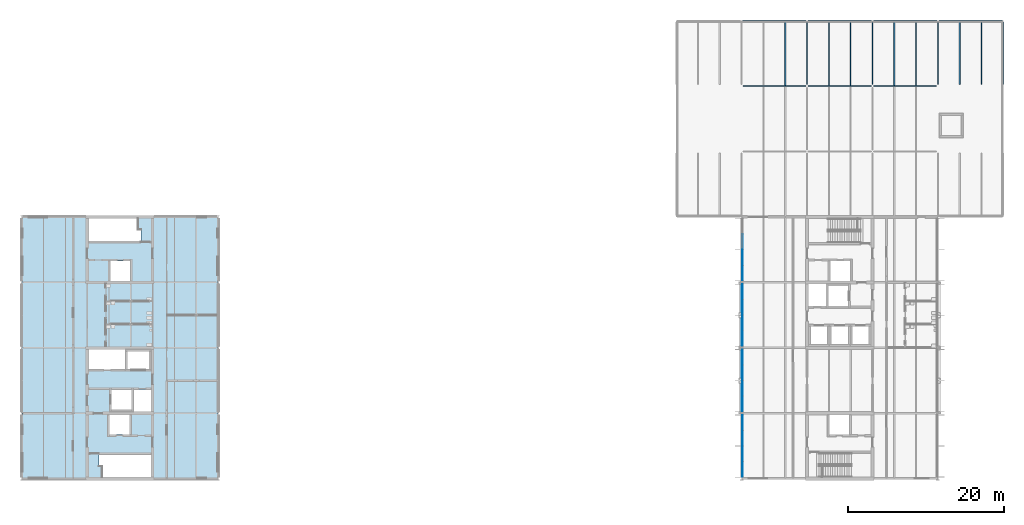
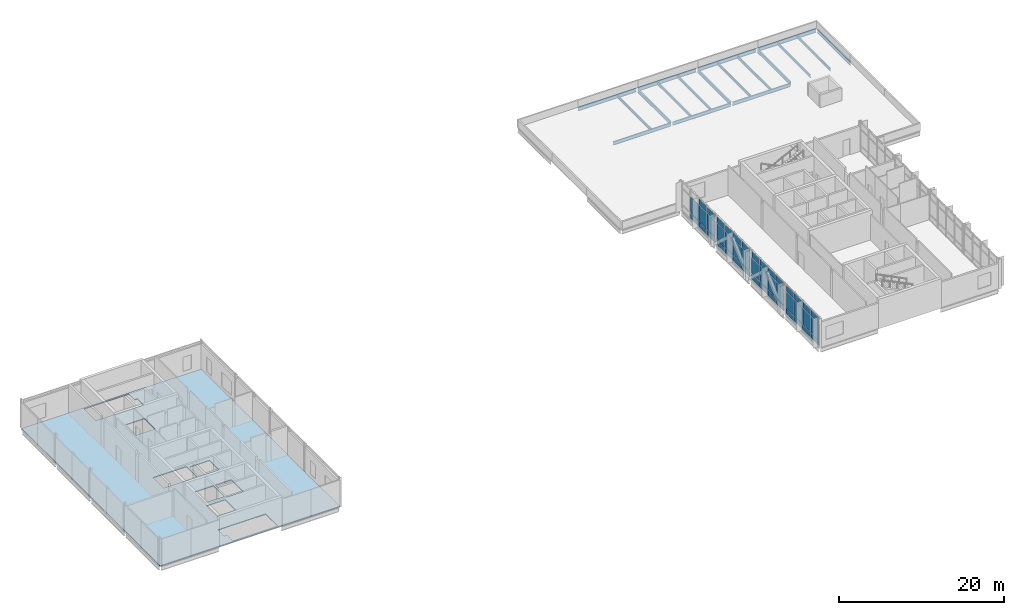
# One storey, part 11 of 26: 44 plates, 18 beams, 1 slab, 4 elements without a shape of their own.
"""IFC4 building model written with IfcOpenShell, lengths in metres."""

import ifcopenshell
import ifcopenshell.guid

model = None  # the IFC model being written
_history = None  # IfcOwnerHistory: only IFC2X3 demands one
_inside = {}  # id of a spatial element -> (the spatial element, [elements in it])
_under = {}  # id of a project, library or spatial element -> (it, [spatial elements below it])
_declared = {}  # id of a project -> (the project, [libraries it declares])
_typed = {}  # id of a type object -> (the type object, [elements of that type])
_made_of = {}  # id of a material, layer set ... -> (it, [elements and type objects made of it])


def new_model(schema):
    """Start an empty IFC model of exactly this schema.

    Asked for "IFC4X3", IfcOpenShell would pick the latest addendum, in which some entities
    have other attributes; the version numbers below select the first issue.
    IFC2X3 requires an IfcOwnerHistory on every rooted entity: one is made here for all.
    """
    global model, _history
    if schema == "IFC4X3":
        model = ifcopenshell.file(schema_version=(4, 3, 0, 0))
    else:
        model = ifcopenshell.file(schema=schema)
    _inside.clear()
    _under.clear()
    _declared.clear()
    _typed.clear()
    _made_of.clear()
    _history = None
    if model.schema == "IFC2X3":
        org = make("IfcOrganization", Name="unknown")
        user = make(
            "IfcPersonAndOrganization",
            ThePerson=make("IfcPerson", FamilyName="unknown"),
            TheOrganization=org,
        )
        app = make(
            "IfcApplication",
            ApplicationDeveloper=org,
            Version="unknown",
            ApplicationFullName="unknown",
            ApplicationIdentifier="unknown",
        )
        _history = make(
            "IfcOwnerHistory",
            OwningUser=user,
            OwningApplication=app,
            ChangeAction="ADDED",
            CreationDate=0,
        )
    return model


def make(cls, **values):
    """One entity of the class cls with the attributes given. An attribute that is None is left unset."""
    return model.create_entity(
        cls, **{name: value for name, value in values.items() if value is not None}
    )


def rooted(cls, **values):
    """An entity with a GlobalId (a new one), such as an element, a storey or a relation."""
    return make(cls, GlobalId=ifcopenshell.guid.new(), OwnerHistory=_history, **values)


def si_unit(unit_type, name, prefix=None):
    """IfcSIUnit, for example si_unit("LENGTHUNIT", "METRE", prefix="MILLI")."""
    return make("IfcSIUnit", UnitType=unit_type, Prefix=prefix, Name=name)


def assignment(units):
    """IfcUnitAssignment: the units of a project."""
    return None if units is None else make("IfcUnitAssignment", Units=units)


def point(xyz):
    """IfcCartesianPoint."""
    return None if xyz is None else make("IfcCartesianPoint", Coordinates=xyz)


def direction(xyz):
    """IfcDirection."""
    return None if xyz is None else make("IfcDirection", DirectionRatios=xyz)


def frame(location, z_axis=None, x_axis=None):
    """IfcAxis2Placement3D, a coordinate frame: its origin and axes. An axis left out is left unset."""
    return make(
        "IfcAxis2Placement3D",
        Location=point(location),
        Axis=direction(z_axis),
        RefDirection=direction(x_axis),
    )


def frame_2d(location, x_axis=None):
    """IfcAxis2Placement2D, a coordinate frame in the plane: its origin and x axis."""
    return make(
        "IfcAxis2Placement2D", Location=point(location), RefDirection=direction(x_axis)
    )


def origin():
    """The frame at (0, 0, 0) with its axes left unset."""
    return frame((0.0, 0.0, 0.0))


def origin_2d():
    """The frame at (0, 0) in the plane with its x axis left unset."""
    return frame_2d((0.0, 0.0))


def place(relative_to, where):
    """IfcLocalPlacement: puts the frame where relative to a parent placement (None: the world)."""
    return make(
        "IfcLocalPlacement", PlacementRelTo=relative_to, RelativePlacement=where
    )


def context(
    kind, dimensions, precision=None, world=None, true_north=None, identifier=None
):
    """IfcGeometricRepresentationContext, for example the 3D "Model" context."""
    return make(
        "IfcGeometricRepresentationContext",
        ContextIdentifier=identifier,
        ContextType=kind,
        CoordinateSpaceDimension=dimensions,
        Precision=precision,
        WorldCoordinateSystem=world,
        TrueNorth=true_north,
    )


def subcontext(parent, identifier, kind, view, scale=None):
    """IfcGeometricRepresentationSubContext, for example "Body" below "Model"."""
    return make(
        "IfcGeometricRepresentationSubContext",
        ContextIdentifier=identifier,
        ContextType=kind,
        ParentContext=parent,
        TargetScale=scale,
        TargetView=view,
    )


def project(units=None, contexts=None):
    """IfcProject with its units and contexts."""
    return rooted(
        "IfcProject",
        Name="project",
        RepresentationContexts=contexts,
        UnitsInContext=assignment(units),
    )


def spatial(cls, under=None, at=None, **own):
    """A site, building, storey or space (cls), placed at a placement, below another one or the project."""
    s = rooted(cls, ObjectPlacement=at, **own)
    if under is not None:
        _under.setdefault(under.id(), (under, []))[1].append(s)
    return s


def polyline(points):
    """IfcPolyline through the points."""
    return make("IfcPolyline", Points=[point(p) for p in points])


def profile(cls, at=None, kind="AREA", **sizes):
    """A parametric profile (cls). Its sizes go by their IFC names, for example OverallWidth=200.0."""
    return make(cls, ProfileType=kind, Position=at, **sizes)


def rectangle(**sizes):
    """IfcRectangleProfileDef."""
    return profile("IfcRectangleProfileDef", **sizes)


def i_section(**sizes):
    """IfcIShapeProfileDef."""
    return profile("IfcIShapeProfileDef", **sizes)


def outline(outer, holes=None, kind="AREA"):
    """IfcArbitraryClosedProfileDef: a profile drawn as a closed curve; with holes, ...WithVoids."""
    if holes is None:
        return make("IfcArbitraryClosedProfileDef", ProfileType=kind, OuterCurve=outer)
    return make(
        "IfcArbitraryProfileDefWithVoids",
        ProfileType=kind,
        OuterCurve=outer,
        InnerCurves=holes,
    )


def extrude(swept, where, along, depth):
    """IfcExtrudedAreaSolid: the profile swept, set in the frame where, extruded along a direction by depth."""
    return make(
        "IfcExtrudedAreaSolid",
        SweptArea=swept,
        Position=where,
        ExtrudedDirection=direction(along),
        Depth=depth,
    )


def shape(context_of_items, identifier, shape_type, items):
    """IfcShapeRepresentation: the items that make up one representation, for example the "Body"."""
    return make(
        "IfcShapeRepresentation",
        ContextOfItems=context_of_items,
        RepresentationIdentifier=identifier,
        RepresentationType=shape_type,
        Items=items,
    )


def material(Name=None, Category=None):
    """IfcMaterial."""
    return make("IfcMaterial", Name=Name, Category=Category)


def layer(
    of_material, thickness, ventilated=None, Name=None, Category=None, Priority=None
):
    """IfcMaterialLayer: one layer of a wall or slab, of a material (None: an air gap)."""
    return make(
        "IfcMaterialLayer",
        Material=of_material,
        LayerThickness=thickness,
        IsVentilated=ventilated,
        Name=Name,
        Category=Category,
        Priority=Priority,
    )


def layer_set(layers, Name=None):
    """IfcMaterialLayerSet."""
    return make("IfcMaterialLayerSet", MaterialLayers=layers, LayerSetName=Name)


def material_profile(
    of_material, cross_section, Name=None, Category=None, Priority=None
):
    """IfcMaterialProfile: a cross section and its material."""
    return make(
        "IfcMaterialProfile",
        Name=Name,
        Material=of_material,
        Profile=cross_section,
        Priority=Priority,
        Category=Category,
    )


def profile_set(profiles, Name=None, composite=None):
    """IfcMaterialProfileSet."""
    return make(
        "IfcMaterialProfileSet",
        Name=Name,
        MaterialProfiles=profiles,
        CompositeProfile=composite,
    )


def made_of(thing, what):
    """Note that an element or type object is made of a material, layer set ...; save() writes the relation."""
    if what is not None:
        _made_of.setdefault(what.id(), (what, []))[1].append(thing)
    return thing


def type_object(cls, material=None, **own):
    """A type object (cls), such as IfcWallType, which elements share."""
    return made_of(rooted(cls, **own), material)


def element(
    cls,
    number,
    at=None,
    inside=None,
    cuts=None,
    type_object=None,
    material=None,
    context=None,
    identifier="Body",
    shape_type=None,
    held_by="IfcProductDefinitionShape",
    body=None,
    shapes=None,
    **own,
):
    """One element of the class cls, such as IfcWall. Its Tag is "e" and its number.

    at: its placement. inside: the storey or other place that contains it. cuts: it is an
    opening in that element (IfcRelVoidsElement). A single representation is given by context,
    identifier, shape_type and body (its items); several are given by shapes. held_by: the class
    of the entity that holds the representations. save() writes the other relations.
    """
    e = rooted(cls, Tag="e%d" % number, ObjectPlacement=at, **own)
    if body is not None:
        shapes = [shape(context, identifier, shape_type, body)]
    if shapes is not None:
        e.Representation = make(held_by, Representations=shapes)
    if inside is not None:
        _inside.setdefault(inside.id(), (inside, []))[1].append(e)
    if cuts is not None:
        rooted(
            "IfcRelVoidsElement", RelatingBuildingElement=cuts, RelatedOpeningElement=e
        )
    if type_object is not None:
        _typed.setdefault(type_object.id(), (type_object, []))[1].append(e)
    return made_of(e, material)


def aggregate(whole, parts):
    """IfcRelAggregates: a whole, such as a stair, and the parts it consists of."""
    return rooted("IfcRelAggregates", RelatingObject=whole, RelatedObjects=parts)


def save(model, path):
    """Write the relations noted so far, then the file.

    IfcRelAggregates (storeys below a building ...), IfcRelContainedInSpatialStructure (elements
    in a storey), IfcRelDefinesByType, IfcRelAssociatesMaterial and IfcRelDeclares: one each for
    every whole, place, type object, material and project.
    """
    for whole, parts in _under.values():
        aggregate(whole, parts)
    for where, things in _inside.values():
        rooted(
            "IfcRelContainedInSpatialStructure",
            RelatedElements=things,
            RelatingStructure=where,
        )
    for kind, things in _typed.values():
        rooted("IfcRelDefinesByType", RelatedObjects=things, RelatingType=kind)
    for what, things in _made_of.values():
        rooted("IfcRelAssociatesMaterial", RelatedObjects=things, RelatingMaterial=what)
    for by, libraries in _declared.values():
        rooted("IfcRelDeclares", RelatingContext=by, RelatedDefinitions=libraries)
    model.write(path)


model = new_model("IFC4")

# Units and contexts
model_context = context("Model", 3, precision=1e-05, world=origin(), true_north=direction((0.0, 1.0)))
body_context = subcontext(model_context, "Body", "Model", "MODEL_VIEW")
ifc_project = project(units=[si_unit("LENGTHUNIT", "METRE"), si_unit("AREAUNIT", "SQUARE_METRE"), si_unit("VOLUMEUNIT", "CUBIC_METRE"), si_unit("PLANEANGLEUNIT", "RADIAN"), si_unit("MASSUNIT", "GRAM", prefix="KILO")], contexts=[model_context])

# Site, building, storey
site_placement = place(None, origin())
site = spatial("IfcSite", under=ifc_project, at=site_placement, CompositionType="ELEMENT")
building_placement = place(site_placement, origin())
building = spatial("IfcBuilding", under=site, at=building_placement, Name="Hlaing Beacon Police Headquarters", CompositionType="ELEMENT")
storey_placement = place(building_placement, frame((0.0, 0.0, 23.39990234375)))
storey = spatial("IfcBuildingStorey", under=building, at=storey_placement, Name="L05", CompositionType="ELEMENT", Elevation=23.39990234375)

# Beams
ifc_material_1 = material(Name="Steel ASTM A992 Grade 50", Category="steel")
ifc_material_profile_1 = material_profile(ifc_material_1, i_section(OverallWidth=0.1650390625, OverallDepth=0.52587890625, WebThickness=0.0087890625, FlangeThickness=0.011474609375, FilletRadius=0.0126953125, at=origin_2d()), Name="W21x44")
ifc_profile_set_1 = profile_set([ifc_material_profile_1], Name="Steel ASTM A992 Grade 50")
beam_type_1 = type_object("IfcBeamType", Name="Girder W21x44", PredefinedType="BEAM", material=ifc_profile_set_1)
beam_1_placement = place(storey_placement, frame((101.0, 84.0, -0.392822265625), z_axis=(1.0, 0.0, 0.0), x_axis=(0.0, 1.0, 0.0)))
element("IfcBeam", 1, at=beam_1_placement, inside=storey, type_object=beam_type_1, Name="STR-BM-L05-GX-N11-P11", PredefinedType="BEAM", context=body_context, shape_type="SweptSolid", body=[
    extrude(i_section(OverallWidth=0.1650390625, OverallDepth=0.52587890625, WebThickness=0.0087890625, FlangeThickness=0.011474609375, FilletRadius=0.0126953125, at=origin_2d()), origin(), (0.0, 0.0, 1.0), 8.072021484375),
])
beam_2_placement = place(storey_placement, frame((109.327880859375, 84.0, -0.392822265625), z_axis=(1.0, 0.0, 0.0), x_axis=(0.0, 1.0, 0.0)))
element("IfcBeam", 2, at=beam_2_placement, inside=storey, type_object=beam_type_1, Name="STR-BM-L05-GX-P11-Q11", PredefinedType="BEAM", context=body_context, shape_type="SweptSolid", body=[
    extrude(i_section(OverallWidth=0.1650390625, OverallDepth=0.52587890625, WebThickness=0.0087890625, FlangeThickness=0.011474609375, FilletRadius=0.0126953125, at=origin_2d()), origin(), (0.0, 0.0, 1.0), 8.14404296875),
])
beam_3_placement = place(storey_placement, frame((117.72802734375, 84.0, -0.392822265625), z_axis=(1.0, 0.0, 0.0), x_axis=(0.0, 1.0, 0.0)))
element("IfcBeam", 3, at=beam_3_placement, inside=storey, type_object=beam_type_1, Name="STR-BM-L05-GX-Q11-R11", PredefinedType="BEAM", context=body_context, shape_type="SweptSolid", body=[
    extrude(i_section(OverallWidth=0.1650390625, OverallDepth=0.52587890625, WebThickness=0.0087890625, FlangeThickness=0.011474609375, FilletRadius=0.0126953125, at=origin_2d()), origin(), (0.0, 0.0, 1.0), 8.072021484375),
])
for number, where, z_axis, x_axis, name in (
    (4, (100.927001953125, 92.39990234375, -0.392822265625), (1.0, 0.0, 0.0), (0.0, 1.0, 0.0), "STR-BM-L05-GX-N12-P12"),
    (5, (126.1279296875, 92.39990234375, -0.392822265625), (1.0, 0.0, 0.0), (0.0, 1.0, 0.0), "STR-BM-L05-GX-R12-S12"),
):
    element("IfcBeam", number, at=place(storey_placement, frame(where, z_axis=z_axis, x_axis=x_axis)), inside=storey, type_object=beam_type_1, Name=name, PredefinedType="BEAM", context=body_context, shape_type="SweptSolid", body=[
        extrude(i_section(OverallWidth=0.1650390625, OverallDepth=0.52587890625, WebThickness=0.0087890625, FlangeThickness=0.011474609375, FilletRadius=0.0126953125, at=origin_2d()), origin(), (0.0, 0.0, 1.0), 8.14501953125),
    ])
for number, where, z_axis, x_axis, name in (
    (6, (109.199951171875, 84.179931640625, -0.392822265625), (0.0, 1.0, 0.0), (-1.0, 0.0, 0.0), "STR-BM-L05-GY-P11-P12"),
    (7, (117.60009765625, 84.179931640625, -0.392822265625), (0.0, 1.0, 0.0), (-1.0, 0.0, 0.0), "STR-BM-L05-GY-Q11-Q12"),
):
    element("IfcBeam", number, at=place(storey_placement, frame(where, z_axis=z_axis, x_axis=x_axis)), inside=storey, type_object=beam_type_1, Name=name, PredefinedType="BEAM", context=body_context, shape_type="SweptSolid", body=[
        extrude(i_section(OverallWidth=0.1650390625, OverallDepth=0.52587890625, WebThickness=0.0087890625, FlangeThickness=0.011474609375, FilletRadius=0.0126953125, at=origin_2d()), origin(), (0.0, 0.0, 1.0), 8.0380859375),
    ])
beam_4_placement = place(storey_placement, frame((126.0, 84.199951171875, -0.392822265625), z_axis=(0.0, 1.0, 0.0), x_axis=(-1.0, 0.0, 0.0)))
element("IfcBeam", 8, at=beam_4_placement, inside=storey, type_object=beam_type_1, Name="STR-BM-L05-GY-R11-R12", PredefinedType="BEAM", context=body_context, shape_type="SweptSolid", body=[
    extrude(i_section(OverallWidth=0.1650390625, OverallDepth=0.52587890625, WebThickness=0.0087890625, FlangeThickness=0.011474609375, FilletRadius=0.0126953125, at=origin_2d()), origin(), (0.0, 0.0, 1.0), 8.01806640625),
])
beam_5_placement = place(storey_placement, frame((134.39990234375, 84.199951171875, -0.392822265625), z_axis=(0.0, 1.0, 0.0), x_axis=(-1.0, 0.0, 0.0)))
element("IfcBeam", 9, at=beam_5_placement, inside=storey, type_object=beam_type_1, Name="STR-BM-L05-GY-S11-S12", PredefinedType="BEAM", context=body_context, shape_type="SweptSolid", body=[
    extrude(i_section(OverallWidth=0.1650390625, OverallDepth=0.52587890625, WebThickness=0.0087890625, FlangeThickness=0.011474609375, FilletRadius=0.0126953125, at=origin_2d()), origin(), (0.0, 0.0, 1.0), 8.02294921875),
])
ifc_material_2 = material(Name="Steel ASTM A992 Grade 50", Category="steel")
ifc_material_profile_2 = material_profile(ifc_material_2, i_section(OverallWidth=0.165771484375, OverallDepth=0.5283203125, WebThickness=0.009765625, FlangeThickness=0.013671875, FilletRadius=0.012939453125, at=origin_2d()), Name="W21x50")
ifc_profile_set_2 = profile_set([ifc_material_profile_2], Name="Steel ASTM A992 Grade 50")
beam_type_2 = type_object("IfcBeamType", Name="Girder W21x50", PredefinedType="BEAM", material=ifc_profile_set_2)
for number, where, z_axis, x_axis, name in (
    (10, (109.327880859375, 92.39990234375, -0.39404296875), (1.0, 0.0, 0.0), (0.0, 1.0, 0.0), "STR-BM-L05-GX-P12-Q12"),
    (11, (117.72802734375, 92.39990234375, -0.39404296875), (1.0, 0.0, 0.0), (0.0, 1.0, 0.0), "STR-BM-L05-GX-Q12-R12"),
):
    element("IfcBeam", number, at=place(storey_placement, frame(where, z_axis=z_axis, x_axis=x_axis)), inside=storey, type_object=beam_type_2, Name=name, PredefinedType="BEAM", context=body_context, shape_type="SweptSolid", body=[
        extrude(i_section(OverallWidth=0.165771484375, OverallDepth=0.5283203125, WebThickness=0.009765625, FlangeThickness=0.013671875, FilletRadius=0.012939453125, at=origin_2d()), origin(), (0.0, 0.0, 1.0), 8.14404296875),
    ])
ifc_material_3 = material(Name="Steel ASTM A992 Grade 50", Category="steel")
ifc_material_profile_3 = material_profile(ifc_material_3, i_section(OverallWidth=0.1396484375, OverallDepth=0.398681640625, WebThickness=0.00634765625, FlangeThickness=0.0087890625, FilletRadius=0.01025390625, at=origin_2d()), Name="W16x26")
ifc_profile_set_3 = profile_set([ifc_material_profile_3], Name="Steel ASTM A992 Grade 50")
beam_type_3 = type_object("IfcBeamType", Name="Secondary beam W16x26", PredefinedType="BEAM", material=ifc_profile_set_3)
for number, where, z_axis, x_axis, name in (
    (12, (106.39990234375, 84.0830078125, -0.329345703125), (0.0, 1.0, 0.0), (-1.0, 0.0, 0.0), "STR-BM-L05-SB-N11-y2"),
    (13, (112.0, 84.0830078125, -0.329345703125), (0.0, 1.0, 0.0), (-1.0, 0.0, 0.0), "STR-BM-L05-SB-P11-y1"),
    (14, (114.800048828125, 84.0830078125, -0.329345703125), (0.0, 1.0, 0.0), (-1.0, 0.0, 0.0), "STR-BM-L05-SB-P11-y2"),
    (15, (120.39990234375, 84.0830078125, -0.329345703125), (0.0, 1.0, 0.0), (-1.0, 0.0, 0.0), "STR-BM-L05-SB-Q11-y1"),
    (16, (123.199951171875, 84.0830078125, -0.329345703125), (0.0, 1.0, 0.0), (-1.0, 0.0, 0.0), "STR-BM-L05-SB-Q11-y2"),
):
    element("IfcBeam", number, at=place(storey_placement, frame(where, z_axis=z_axis, x_axis=x_axis)), inside=storey, type_object=beam_type_3, Name=name, PredefinedType="BEAM", context=body_context, shape_type="SweptSolid", body=[
        extrude(i_section(OverallWidth=0.1396484375, OverallDepth=0.398681640625, WebThickness=0.00634765625, FlangeThickness=0.0087890625, FilletRadius=0.01025390625, at=origin_2d()), origin(), (0.0, 0.0, 1.0), 8.23388671875),
    ])
for number, where, z_axis, x_axis, name in (
    (17, (128.800048828125, 84.199951171875, -0.329345703125), (0.0, 1.0, 0.0), (-1.0, 0.0, 0.0), "STR-BM-L05-SB-R11-y1"),
    (18, (131.60009765625, 84.199951171875, -0.329345703125), (0.0, 1.0, 0.0), (-1.0, 0.0, 0.0), "STR-BM-L05-SB-R11-y2"),
):
    element("IfcBeam", number, at=place(storey_placement, frame(where, z_axis=z_axis, x_axis=x_axis)), inside=storey, type_object=beam_type_3, Name=name, PredefinedType="BEAM", context=body_context, shape_type="SweptSolid", body=[
        extrude(i_section(OverallWidth=0.1396484375, OverallDepth=0.398681640625, WebThickness=0.00634765625, FlangeThickness=0.0087890625, FilletRadius=0.01025390625, at=origin_2d()), origin(), (0.0, 0.0, 1.0), 8.116943359375),
    ])

# Curtain wall, plates
ifc_material_4 = material(Name="Aluminium frame with solar control glazing", Category="aluminium")
curtain_wall_type = type_object("IfcCurtainWallType", Name="Unitised curtain wall 8.03 x 4.37", PredefinedType="NOTDEFINED", material=ifc_material_4)
curtain_wall_1_placement = place(storey_placement, origin())
curtain_wall_1 = element("IfcCurtainWall", 19, at=curtain_wall_1_placement, inside=storey, type_object=curtain_wall_type, Name="ENV-CW-L05-W005", PredefinedType="NOTDEFINED")
ifc_material_5 = material(Name="Solar control glazing", Category="glass")
ifc_layer_1 = layer(ifc_material_5, 0.0439453125)
ifc_layer_set_1 = layer_set([ifc_layer_1], Name="Solar control glazing")
plate_type_1 = type_object("IfcPlateType", Name="Clear glazing panel 44", PredefinedType="CURTAIN_PANEL", material=ifc_layer_set_1)
plate_1_placement = place(storey_placement, frame((100.89990234375, 64.006591796875, 0.9501953125), z_axis=(0.0, 0.0, 1.0), x_axis=(0.0, -1.0, 0.0)))
plate_1 = element("IfcPlate", 20, at=plate_1_placement, type_object=plate_type_1, Name="CW-L05-W005 panel 2.2", PredefinedType="CURTAIN_PANEL", context=body_context, shape_type="SweptSolid", body=[
    extrude(rectangle(XDim=1.947998046875, YDim=0.0439453125, at=origin_2d()), origin(), (0.0, 0.0, 1.0), 2.300048828125),
])
plate_2_placement = place(storey_placement, frame((100.89990234375, 60.005615234375, 0.9501953125), z_axis=(0.0, 0.0, 1.0), x_axis=(0.0, -1.0, 0.0)))
plate_2 = element("IfcPlate", 21, at=plate_2_placement, type_object=plate_type_1, Name="CW-L05-W005 panel 4.2", PredefinedType="CURTAIN_PANEL", context=body_context, shape_type="SweptSolid", body=[
    extrude(rectangle(XDim=1.91796875, YDim=0.0439453125, at=origin_2d()), origin(), (0.0, 0.0, 1.0), 2.300048828125),
])

curtain_wall_2_placement = place(storey_placement, origin())
curtain_wall_2 = element("IfcCurtainWall", 22, at=curtain_wall_2_placement, inside=storey, type_object=curtain_wall_type, Name="ENV-CW-L05-W006", PredefinedType="NOTDEFINED")
plate_3_placement = place(storey_placement, frame((100.889892578125, 55.603271484375, 0.9501953125), z_axis=(0.0, 0.0, 1.0), x_axis=(0.0, -1.0, 0.0)))
plate_3 = element("IfcPlate", 23, at=plate_3_placement, type_object=plate_type_1, Name="CW-L05-W006 panel 2.2", PredefinedType="CURTAIN_PANEL", context=body_context, shape_type="SweptSolid", body=[
    extrude(rectangle(XDim=1.946533203125, YDim=0.0439453125, at=origin_2d()), origin(), (0.0, 0.0, 1.0), 2.300048828125),
])
plate_4_placement = place(storey_placement, frame((100.889892578125, 51.60498046875, 0.9501953125), z_axis=(0.0, 0.0, 1.0), x_axis=(0.0, -1.0, 0.0)))
plate_4 = element("IfcPlate", 24, at=plate_4_placement, type_object=plate_type_1, Name="CW-L05-W006 panel 4.2", PredefinedType="CURTAIN_PANEL", context=body_context, shape_type="SweptSolid", body=[
    extrude(rectangle(XDim=1.916748046875, YDim=0.0439453125, at=origin_2d()), origin(), (0.0, 0.0, 1.0), 2.300048828125),
])

curtain_wall_3_placement = place(storey_placement, origin())
curtain_wall_3 = element("IfcCurtainWall", 25, at=curtain_wall_3_placement, inside=storey, type_object=curtain_wall_type, Name="ENV-CW-L05-W007", PredefinedType="NOTDEFINED")
plate_5_placement = place(storey_placement, frame((100.889892578125, 47.203369140625, 0.9501953125), z_axis=(0.0, 0.0, 1.0), x_axis=(0.0, -1.0, 0.0)))
plate_5 = element("IfcPlate", 26, at=plate_5_placement, type_object=plate_type_1, Name="CW-L05-W007 panel 2.2", PredefinedType="CURTAIN_PANEL", context=body_context, shape_type="SweptSolid", body=[
    extrude(rectangle(XDim=1.946533203125, YDim=0.0439453125, at=origin_2d()), origin(), (0.0, 0.0, 1.0), 2.300048828125),
])
plate_6_placement = place(storey_placement, frame((100.889892578125, 43.205078125, 0.9501953125), z_axis=(0.0, 0.0, 1.0), x_axis=(0.0, -1.0, 0.0)))
plate_6 = element("IfcPlate", 27, at=plate_6_placement, type_object=plate_type_1, Name="CW-L05-W007 panel 4.2", PredefinedType="CURTAIN_PANEL", context=body_context, shape_type="SweptSolid", body=[
    extrude(rectangle(XDim=1.916748046875, YDim=0.0439453125, at=origin_2d()), origin(), (0.0, 0.0, 1.0), 2.300048828125),
])

curtain_wall_4_placement = place(storey_placement, origin())
curtain_wall_4 = element("IfcCurtainWall", 28, at=curtain_wall_4_placement, inside=storey, type_object=curtain_wall_type, Name="ENV-CW-L05-W008", PredefinedType="NOTDEFINED")
plate_7_placement = place(storey_placement, frame((100.89990234375, 38.801513671875, 0.9501953125), z_axis=(0.0, 0.0, 1.0), x_axis=(0.0, -1.0, 0.0)))
plate_7 = element("IfcPlate", 29, at=plate_7_placement, type_object=plate_type_1, Name="CW-L05-W008 panel 2.2", PredefinedType="CURTAIN_PANEL", context=body_context, shape_type="SweptSolid", body=[
    extrude(rectangle(XDim=1.947998046875, YDim=0.0439453125, at=origin_2d()), origin(), (0.0, 0.0, 1.0), 2.300048828125),
])
plate_8_placement = place(storey_placement, frame((100.89990234375, 34.800537109375, 0.9501953125), z_axis=(0.0, 0.0, 1.0), x_axis=(0.0, -1.0, 0.0)))
plate_8 = element("IfcPlate", 30, at=plate_8_placement, type_object=plate_type_1, Name="CW-L05-W008 panel 4.2", PredefinedType="CURTAIN_PANEL", context=body_context, shape_type="SweptSolid", body=[
    extrude(rectangle(XDim=1.91796875, YDim=0.0439453125, at=origin_2d()), origin(), (0.0, 0.0, 1.0), 2.300048828125),
])

# Slab
ifc_material_6 = material(Name="Concrete C40/50", Category="concrete")
ifc_layer_2 = layer(ifc_material_6, 0.1298828125)
ifc_layer_set_2 = layer_set([ifc_layer_2], Name="Concrete C40/50")
slab_type = type_object("IfcSlabType", Name="Composite deck slab 130", PredefinedType="FLOOR", material=ifc_layer_set_2)
slab_placement = place(storey_placement, frame((0.0, 0.0, -0.1298828125)))
element("IfcSlab", 31, at=slab_placement, inside=storey, type_object=slab_type, Name="STR-SLAB-L05-01", PredefinedType="FLOOR", context=body_context, shape_type="SweptSolid", body=[
    extrude(outline(polyline([(8.39990234375, 33.60009765625), (33.60009765625, 33.60009765625), (33.60009765625, 67.199951171875), (8.39990234375, 67.199951171875), (8.39990234375, 33.60009765625)]), holes=[polyline([(17.0, 47.64990234375), (21.699951171875, 47.64990234375), (21.699951171875, 50.199951171875), (17.0, 50.199951171875), (17.0, 47.64990234375)]), polyline([(17.0, 64.10009765625), (23.68994140625, 64.10009765625), (23.68994140625, 65.60009765625), (23.300048828125, 65.60009765625), (23.300048828125, 67.0), (17.0, 67.0), (17.0, 64.10009765625)]), polyline([(18.699951171875, 33.800048828125), (25.0, 33.800048828125), (25.0, 36.699951171875), (18.31005859375, 36.699951171875), (18.31005859375, 35.199951171875), (18.699951171875, 35.199951171875), (18.699951171875, 33.800048828125)]), polyline([(19.64990234375, 39.25), (22.25, 39.25), (22.25, 41.800048828125), (19.64990234375, 41.800048828125), (19.64990234375, 39.25)]), polyline([(19.75, 59.0), (22.35009765625, 59.0), (22.35009765625, 61.550048828125), (19.75, 61.550048828125), (19.75, 59.0)]), polyline([(19.89990234375, 42.449951171875), (22.5, 42.449951171875), (22.5, 45.050048828125), (19.89990234375, 45.050048828125), (19.89990234375, 42.449951171875)]), polyline([(21.949951171875, 47.64990234375), (24.75, 47.64990234375), (24.75, 49.949951171875), (21.949951171875, 49.949951171875), (21.949951171875, 47.64990234375)]), polyline([(22.75, 42.199951171875), (25.0, 42.199951171875), (25.0, 45.050048828125), (22.75, 45.050048828125), (22.75, 42.199951171875)])]), origin(), (0.0, 0.0, 1.0), 0.1298828125),
])

# Plate
ifc_material_7 = material(Name="Fritted solar control glazing", Category="glass")
ifc_layer_3 = layer(ifc_material_7, 0.0439453125)
ifc_layer_set_3 = layer_set([ifc_layer_3], Name="Fritted solar control glazing")
plate_type_2 = type_object("IfcPlateType", Name="Fritted glazing panel 44", PredefinedType="CURTAIN_PANEL", material=ifc_layer_set_3)
plate_9_placement = place(storey_placement, frame((100.89990234375, 61.99853515625, 0.9501953125), z_axis=(0.0, 0.0, 1.0), x_axis=(0.0, -1.0, 0.0)))
plate_9 = element("IfcPlate", 32, at=plate_9_placement, type_object=plate_type_2, Name="CW-L05-W005 panel 3.2", PredefinedType="CURTAIN_PANEL", context=body_context, shape_type="SweptSolid", body=[
    extrude(rectangle(XDim=1.947998046875, YDim=0.0439453125, at=origin_2d()), origin(), (0.0, 0.0, 1.0), 2.300048828125),
])

plate_10_placement = place(storey_placement, frame((100.889892578125, 57.594970703125, 0.9501953125), z_axis=(0.0, 0.0, 1.0), x_axis=(0.0, -1.0, 0.0)))
plate_10 = element("IfcPlate", 33, at=plate_10_placement, type_object=plate_type_2, Name="CW-L05-W006 panel 1.2", PredefinedType="CURTAIN_PANEL", context=body_context, shape_type="SweptSolid", body=[
    extrude(rectangle(XDim=1.916748046875, YDim=0.0439453125, at=origin_2d()), origin(), (0.0, 0.0, 1.0), 2.300048828125),
])

plate_11_placement = place(storey_placement, frame((100.889892578125, 53.5966796875, 0.9501953125), z_axis=(0.0, 0.0, 1.0), x_axis=(0.0, -1.0, 0.0)))
plate_11 = element("IfcPlate", 34, at=plate_11_placement, type_object=plate_type_2, Name="CW-L05-W006 panel 3.2", PredefinedType="CURTAIN_PANEL", context=body_context, shape_type="SweptSolid", body=[
    extrude(rectangle(XDim=1.946533203125, YDim=0.0439453125, at=origin_2d()), origin(), (0.0, 0.0, 1.0), 2.300048828125),
])

plate_12_placement = place(storey_placement, frame((100.889892578125, 49.195068359375, 0.9501953125), z_axis=(0.0, 0.0, 1.0), x_axis=(0.0, -1.0, 0.0)))
plate_12 = element("IfcPlate", 35, at=plate_12_placement, type_object=plate_type_2, Name="CW-L05-W007 panel 1.2", PredefinedType="CURTAIN_PANEL", context=body_context, shape_type="SweptSolid", body=[
    extrude(rectangle(XDim=1.916748046875, YDim=0.0439453125, at=origin_2d()), origin(), (0.0, 0.0, 1.0), 2.300048828125),
])

plate_13_placement = place(storey_placement, frame((100.889892578125, 45.19677734375, 0.9501953125), z_axis=(0.0, 0.0, 1.0), x_axis=(0.0, -1.0, 0.0)))
plate_13 = element("IfcPlate", 36, at=plate_13_placement, type_object=plate_type_2, Name="CW-L05-W007 panel 3.2", PredefinedType="CURTAIN_PANEL", context=body_context, shape_type="SweptSolid", body=[
    extrude(rectangle(XDim=1.946533203125, YDim=0.0439453125, at=origin_2d()), origin(), (0.0, 0.0, 1.0), 2.300048828125),
])

plate_14_placement = place(storey_placement, frame((100.89990234375, 40.79443359375, 0.9501953125), z_axis=(0.0, 0.0, 1.0), x_axis=(0.0, -1.0, 0.0)))
plate_14 = element("IfcPlate", 37, at=plate_14_placement, type_object=plate_type_2, Name="CW-L05-W008 panel 1.2", PredefinedType="CURTAIN_PANEL", context=body_context, shape_type="SweptSolid", body=[
    extrude(rectangle(XDim=1.91796875, YDim=0.0439453125, at=origin_2d()), origin(), (0.0, 0.0, 1.0), 2.300048828125),
])

plate_15_placement = place(storey_placement, frame((100.89990234375, 36.79345703125, 0.9501953125), z_axis=(0.0, 0.0, 1.0), x_axis=(0.0, -1.0, 0.0)))
plate_15 = element("IfcPlate", 38, at=plate_15_placement, type_object=plate_type_2, Name="CW-L05-W008 panel 3.2", PredefinedType="CURTAIN_PANEL", context=body_context, shape_type="SweptSolid", body=[
    extrude(rectangle(XDim=1.947998046875, YDim=0.0439453125, at=origin_2d()), origin(), (0.0, 0.0, 1.0), 2.300048828125),
])

ifc_material_8 = material(Name="Insulated aluminium spandrel", Category="aluminium")
ifc_layer_4 = layer(ifc_material_8, 0.080078125)
ifc_layer_set_4 = layer_set([ifc_layer_4], Name="Insulated aluminium spandrel")
plate_type_3 = type_object("IfcPlateType", Name="Insulated spandrel panel 80", PredefinedType="CURTAIN_PANEL", material=ifc_layer_set_4)
plate_16_placement = place(storey_placement, frame((100.89990234375, 64.006591796875, 0.10009765625), z_axis=(0.0, 0.0, 1.0), x_axis=(0.0, -1.0, 0.0)))
plate_16 = element("IfcPlate", 39, at=plate_16_placement, type_object=plate_type_3, Name="CW-L05-W005 panel 2.1", PredefinedType="CURTAIN_PANEL", context=body_context, shape_type="SweptSolid", body=[
    extrude(rectangle(XDim=1.947998046875, YDim=0.080078125, at=origin_2d()), origin(), (0.0, 0.0, 1.0), 0.75),
])

plate_17_placement = place(storey_placement, frame((100.89990234375, 61.99853515625, 0.10009765625), z_axis=(0.0, 0.0, 1.0), x_axis=(0.0, -1.0, 0.0)))
plate_17 = element("IfcPlate", 40, at=plate_17_placement, type_object=plate_type_3, Name="CW-L05-W005 panel 3.1", PredefinedType="CURTAIN_PANEL", context=body_context, shape_type="SweptSolid", body=[
    extrude(rectangle(XDim=1.947998046875, YDim=0.080078125, at=origin_2d()), origin(), (0.0, 0.0, 1.0), 0.75),
])

plate_18_placement = place(storey_placement, frame((100.89990234375, 60.005615234375, 0.10009765625), z_axis=(0.0, 0.0, 1.0), x_axis=(0.0, -1.0, 0.0)))
plate_18 = element("IfcPlate", 41, at=plate_18_placement, type_object=plate_type_3, Name="CW-L05-W005 panel 4.1", PredefinedType="CURTAIN_PANEL", context=body_context, shape_type="SweptSolid", body=[
    extrude(rectangle(XDim=1.91796875, YDim=0.080078125, at=origin_2d()), origin(), (0.0, 0.0, 1.0), 0.75),
])

plate_19_placement = place(storey_placement, frame((100.889892578125, 57.594970703125, 0.10009765625), z_axis=(0.0, 0.0, 1.0), x_axis=(0.0, -1.0, 0.0)))
plate_19 = element("IfcPlate", 42, at=plate_19_placement, type_object=plate_type_3, Name="CW-L05-W006 panel 1.1", PredefinedType="CURTAIN_PANEL", context=body_context, shape_type="SweptSolid", body=[
    extrude(rectangle(XDim=1.916748046875, YDim=0.080078125, at=origin_2d()), origin(), (0.0, 0.0, 1.0), 0.75),
])

plate_20_placement = place(storey_placement, frame((100.889892578125, 55.603271484375, 0.10009765625), z_axis=(0.0, 0.0, 1.0), x_axis=(0.0, -1.0, 0.0)))
plate_20 = element("IfcPlate", 43, at=plate_20_placement, type_object=plate_type_3, Name="CW-L05-W006 panel 2.1", PredefinedType="CURTAIN_PANEL", context=body_context, shape_type="SweptSolid", body=[
    extrude(rectangle(XDim=1.946533203125, YDim=0.080078125, at=origin_2d()), origin(), (0.0, 0.0, 1.0), 0.75),
])

plate_21_placement = place(storey_placement, frame((100.889892578125, 53.5966796875, 0.10009765625), z_axis=(0.0, 0.0, 1.0), x_axis=(0.0, -1.0, 0.0)))
plate_21 = element("IfcPlate", 44, at=plate_21_placement, type_object=plate_type_3, Name="CW-L05-W006 panel 3.1", PredefinedType="CURTAIN_PANEL", context=body_context, shape_type="SweptSolid", body=[
    extrude(rectangle(XDim=1.946533203125, YDim=0.080078125, at=origin_2d()), origin(), (0.0, 0.0, 1.0), 0.75),
])

plate_22_placement = place(storey_placement, frame((100.889892578125, 51.60498046875, 0.10009765625), z_axis=(0.0, 0.0, 1.0), x_axis=(0.0, -1.0, 0.0)))
plate_22 = element("IfcPlate", 45, at=plate_22_placement, type_object=plate_type_3, Name="CW-L05-W006 panel 4.1", PredefinedType="CURTAIN_PANEL", context=body_context, shape_type="SweptSolid", body=[
    extrude(rectangle(XDim=1.916748046875, YDim=0.080078125, at=origin_2d()), origin(), (0.0, 0.0, 1.0), 0.75),
])

plate_23_placement = place(storey_placement, frame((100.889892578125, 49.195068359375, 0.10009765625), z_axis=(0.0, 0.0, 1.0), x_axis=(0.0, -1.0, 0.0)))
plate_23 = element("IfcPlate", 46, at=plate_23_placement, type_object=plate_type_3, Name="CW-L05-W007 panel 1.1", PredefinedType="CURTAIN_PANEL", context=body_context, shape_type="SweptSolid", body=[
    extrude(rectangle(XDim=1.916748046875, YDim=0.080078125, at=origin_2d()), origin(), (0.0, 0.0, 1.0), 0.75),
])

plate_24_placement = place(storey_placement, frame((100.889892578125, 47.203369140625, 0.10009765625), z_axis=(0.0, 0.0, 1.0), x_axis=(0.0, -1.0, 0.0)))
plate_24 = element("IfcPlate", 47, at=plate_24_placement, type_object=plate_type_3, Name="CW-L05-W007 panel 2.1", PredefinedType="CURTAIN_PANEL", context=body_context, shape_type="SweptSolid", body=[
    extrude(rectangle(XDim=1.946533203125, YDim=0.080078125, at=origin_2d()), origin(), (0.0, 0.0, 1.0), 0.75),
])

plate_25_placement = place(storey_placement, frame((100.889892578125, 45.19677734375, 0.10009765625), z_axis=(0.0, 0.0, 1.0), x_axis=(0.0, -1.0, 0.0)))
plate_25 = element("IfcPlate", 48, at=plate_25_placement, type_object=plate_type_3, Name="CW-L05-W007 panel 3.1", PredefinedType="CURTAIN_PANEL", context=body_context, shape_type="SweptSolid", body=[
    extrude(rectangle(XDim=1.946533203125, YDim=0.080078125, at=origin_2d()), origin(), (0.0, 0.0, 1.0), 0.75),
])

plate_26_placement = place(storey_placement, frame((100.889892578125, 43.205078125, 0.10009765625), z_axis=(0.0, 0.0, 1.0), x_axis=(0.0, -1.0, 0.0)))
plate_26 = element("IfcPlate", 49, at=plate_26_placement, type_object=plate_type_3, Name="CW-L05-W007 panel 4.1", PredefinedType="CURTAIN_PANEL", context=body_context, shape_type="SweptSolid", body=[
    extrude(rectangle(XDim=1.916748046875, YDim=0.080078125, at=origin_2d()), origin(), (0.0, 0.0, 1.0), 0.75),
])

plate_27_placement = place(storey_placement, frame((100.89990234375, 40.79443359375, 0.10009765625), z_axis=(0.0, 0.0, 1.0), x_axis=(0.0, -1.0, 0.0)))
plate_27 = element("IfcPlate", 50, at=plate_27_placement, type_object=plate_type_3, Name="CW-L05-W008 panel 1.1", PredefinedType="CURTAIN_PANEL", context=body_context, shape_type="SweptSolid", body=[
    extrude(rectangle(XDim=1.91796875, YDim=0.080078125, at=origin_2d()), origin(), (0.0, 0.0, 1.0), 0.75),
])

plate_28_placement = place(storey_placement, frame((100.89990234375, 38.801513671875, 0.10009765625), z_axis=(0.0, 0.0, 1.0), x_axis=(0.0, -1.0, 0.0)))
plate_28 = element("IfcPlate", 51, at=plate_28_placement, type_object=plate_type_3, Name="CW-L05-W008 panel 2.1", PredefinedType="CURTAIN_PANEL", context=body_context, shape_type="SweptSolid", body=[
    extrude(rectangle(XDim=1.947998046875, YDim=0.080078125, at=origin_2d()), origin(), (0.0, 0.0, 1.0), 0.75),
])

plate_29_placement = place(storey_placement, frame((100.89990234375, 36.79345703125, 0.10009765625), z_axis=(0.0, 0.0, 1.0), x_axis=(0.0, -1.0, 0.0)))
plate_29 = element("IfcPlate", 52, at=plate_29_placement, type_object=plate_type_3, Name="CW-L05-W008 panel 3.1", PredefinedType="CURTAIN_PANEL", context=body_context, shape_type="SweptSolid", body=[
    extrude(rectangle(XDim=1.947998046875, YDim=0.080078125, at=origin_2d()), origin(), (0.0, 0.0, 1.0), 0.75),
])

plate_30_placement = place(storey_placement, frame((100.89990234375, 34.800537109375, 0.10009765625), z_axis=(0.0, 0.0, 1.0), x_axis=(0.0, -1.0, 0.0)))
plate_30 = element("IfcPlate", 53, at=plate_30_placement, type_object=plate_type_3, Name="CW-L05-W008 panel 4.1", PredefinedType="CURTAIN_PANEL", context=body_context, shape_type="SweptSolid", body=[
    extrude(rectangle(XDim=1.91796875, YDim=0.080078125, at=origin_2d()), origin(), (0.0, 0.0, 1.0), 0.75),
])

ifc_material_9 = material(Name="Perforated aluminium", Category="aluminium")
ifc_layer_5 = layer(ifc_material_9, 0.00390625)
ifc_layer_set_5 = layer_set([ifc_layer_5], Name="Perforated aluminium")
plate_type_4 = type_object("IfcPlateType", Name="Perforated aluminium vent panel 4", PredefinedType="CURTAIN_PANEL", material=ifc_layer_set_5)
plate_31_placement = place(storey_placement, frame((100.89990234375, 61.99853515625, 3.35009765625), z_axis=(0.0, 0.0, 1.0), x_axis=(0.0, -1.0, 0.0)))
plate_31 = element("IfcPlate", 54, at=plate_31_placement, type_object=plate_type_4, Name="CW-L05-W005 panel 3.3", PredefinedType="CURTAIN_PANEL", context=body_context, shape_type="SweptSolid", body=[
    extrude(rectangle(XDim=1.947998046875, YDim=0.00390625, at=origin_2d()), origin(), (0.0, 0.0, 1.0), 0.919921875),
])

plate_32_placement = place(storey_placement, frame((100.89990234375, 60.005615234375, 3.35009765625), z_axis=(0.0, 0.0, 1.0), x_axis=(0.0, -1.0, 0.0)))
plate_32 = element("IfcPlate", 55, at=plate_32_placement, type_object=plate_type_4, Name="CW-L05-W005 panel 4.3", PredefinedType="CURTAIN_PANEL", context=body_context, shape_type="SweptSolid", body=[
    extrude(rectangle(XDim=1.91796875, YDim=0.00390625, at=origin_2d()), origin(), (0.0, 0.0, 1.0), 0.919921875),
])

aggregate(curtain_wall_1, [plate_16, plate_1, plate_17, plate_9, plate_31, plate_18, plate_2, plate_32])

plate_33_placement = place(storey_placement, frame((100.889892578125, 57.594970703125, 3.35009765625), z_axis=(0.0, 0.0, 1.0), x_axis=(0.0, -1.0, 0.0)))
plate_33 = element("IfcPlate", 56, at=plate_33_placement, type_object=plate_type_4, Name="CW-L05-W006 panel 1.3", PredefinedType="CURTAIN_PANEL", context=body_context, shape_type="SweptSolid", body=[
    extrude(rectangle(XDim=1.916748046875, YDim=0.00390625, at=origin_2d()), origin(), (0.0, 0.0, 1.0), 0.919921875),
])

plate_34_placement = place(storey_placement, frame((100.889892578125, 55.603271484375, 3.35009765625), z_axis=(0.0, 0.0, 1.0), x_axis=(0.0, -1.0, 0.0)))
plate_34 = element("IfcPlate", 57, at=plate_34_placement, type_object=plate_type_4, Name="CW-L05-W006 panel 2.3", PredefinedType="CURTAIN_PANEL", context=body_context, shape_type="SweptSolid", body=[
    extrude(rectangle(XDim=1.946533203125, YDim=0.00390625, at=origin_2d()), origin(), (0.0, 0.0, 1.0), 0.919921875),
])

plate_35_placement = place(storey_placement, frame((100.889892578125, 53.5966796875, 3.35009765625), z_axis=(0.0, 0.0, 1.0), x_axis=(0.0, -1.0, 0.0)))
plate_35 = element("IfcPlate", 58, at=plate_35_placement, type_object=plate_type_4, Name="CW-L05-W006 panel 3.3", PredefinedType="CURTAIN_PANEL", context=body_context, shape_type="SweptSolid", body=[
    extrude(rectangle(XDim=1.946533203125, YDim=0.00390625, at=origin_2d()), origin(), (0.0, 0.0, 1.0), 0.919921875),
])

plate_36_placement = place(storey_placement, frame((100.889892578125, 51.60498046875, 3.35009765625), z_axis=(0.0, 0.0, 1.0), x_axis=(0.0, -1.0, 0.0)))
plate_36 = element("IfcPlate", 59, at=plate_36_placement, type_object=plate_type_4, Name="CW-L05-W006 panel 4.3", PredefinedType="CURTAIN_PANEL", context=body_context, shape_type="SweptSolid", body=[
    extrude(rectangle(XDim=1.916748046875, YDim=0.00390625, at=origin_2d()), origin(), (0.0, 0.0, 1.0), 0.919921875),
])

aggregate(curtain_wall_2, [plate_19, plate_10, plate_33, plate_20, plate_3, plate_34, plate_21, plate_11, plate_35, plate_22, plate_4, plate_36])

plate_37_placement = place(storey_placement, frame((100.889892578125, 49.195068359375, 3.35009765625), z_axis=(0.0, 0.0, 1.0), x_axis=(0.0, -1.0, 0.0)))
plate_37 = element("IfcPlate", 60, at=plate_37_placement, type_object=plate_type_4, Name="CW-L05-W007 panel 1.3", PredefinedType="CURTAIN_PANEL", context=body_context, shape_type="SweptSolid", body=[
    extrude(rectangle(XDim=1.916748046875, YDim=0.00390625, at=origin_2d()), origin(), (0.0, 0.0, 1.0), 0.919921875),
])

plate_38_placement = place(storey_placement, frame((100.889892578125, 47.203369140625, 3.35009765625), z_axis=(0.0, 0.0, 1.0), x_axis=(0.0, -1.0, 0.0)))
plate_38 = element("IfcPlate", 61, at=plate_38_placement, type_object=plate_type_4, Name="CW-L05-W007 panel 2.3", PredefinedType="CURTAIN_PANEL", context=body_context, shape_type="SweptSolid", body=[
    extrude(rectangle(XDim=1.946533203125, YDim=0.00390625, at=origin_2d()), origin(), (0.0, 0.0, 1.0), 0.919921875),
])

plate_39_placement = place(storey_placement, frame((100.889892578125, 45.19677734375, 3.35009765625), z_axis=(0.0, 0.0, 1.0), x_axis=(0.0, -1.0, 0.0)))
plate_39 = element("IfcPlate", 62, at=plate_39_placement, type_object=plate_type_4, Name="CW-L05-W007 panel 3.3", PredefinedType="CURTAIN_PANEL", context=body_context, shape_type="SweptSolid", body=[
    extrude(rectangle(XDim=1.946533203125, YDim=0.00390625, at=origin_2d()), origin(), (0.0, 0.0, 1.0), 0.919921875),
])

plate_40_placement = place(storey_placement, frame((100.889892578125, 43.205078125, 3.35009765625), z_axis=(0.0, 0.0, 1.0), x_axis=(0.0, -1.0, 0.0)))
plate_40 = element("IfcPlate", 63, at=plate_40_placement, type_object=plate_type_4, Name="CW-L05-W007 panel 4.3", PredefinedType="CURTAIN_PANEL", context=body_context, shape_type="SweptSolid", body=[
    extrude(rectangle(XDim=1.916748046875, YDim=0.00390625, at=origin_2d()), origin(), (0.0, 0.0, 1.0), 0.919921875),
])

aggregate(curtain_wall_3, [plate_23, plate_12, plate_37, plate_24, plate_5, plate_38, plate_25, plate_13, plate_39, plate_26, plate_6, plate_40])

plate_41_placement = place(storey_placement, frame((100.89990234375, 40.79443359375, 3.35009765625), z_axis=(0.0, 0.0, 1.0), x_axis=(0.0, -1.0, 0.0)))
plate_41 = element("IfcPlate", 64, at=plate_41_placement, type_object=plate_type_4, Name="CW-L05-W008 panel 1.3", PredefinedType="CURTAIN_PANEL", context=body_context, shape_type="SweptSolid", body=[
    extrude(rectangle(XDim=1.91796875, YDim=0.00390625, at=origin_2d()), origin(), (0.0, 0.0, 1.0), 0.919921875),
])

plate_42_placement = place(storey_placement, frame((100.89990234375, 38.801513671875, 3.35009765625), z_axis=(0.0, 0.0, 1.0), x_axis=(0.0, -1.0, 0.0)))
plate_42 = element("IfcPlate", 65, at=plate_42_placement, type_object=plate_type_4, Name="CW-L05-W008 panel 2.3", PredefinedType="CURTAIN_PANEL", context=body_context, shape_type="SweptSolid", body=[
    extrude(rectangle(XDim=1.947998046875, YDim=0.00390625, at=origin_2d()), origin(), (0.0, 0.0, 1.0), 0.919921875),
])

plate_43_placement = place(storey_placement, frame((100.89990234375, 36.79345703125, 3.35009765625), z_axis=(0.0, 0.0, 1.0), x_axis=(0.0, -1.0, 0.0)))
plate_43 = element("IfcPlate", 66, at=plate_43_placement, type_object=plate_type_4, Name="CW-L05-W008 panel 3.3", PredefinedType="CURTAIN_PANEL", context=body_context, shape_type="SweptSolid", body=[
    extrude(rectangle(XDim=1.947998046875, YDim=0.00390625, at=origin_2d()), origin(), (0.0, 0.0, 1.0), 0.919921875),
])

plate_44_placement = place(storey_placement, frame((100.89990234375, 34.800537109375, 3.35009765625), z_axis=(0.0, 0.0, 1.0), x_axis=(0.0, -1.0, 0.0)))
plate_44 = element("IfcPlate", 67, at=plate_44_placement, type_object=plate_type_4, Name="CW-L05-W008 panel 4.3", PredefinedType="CURTAIN_PANEL", context=body_context, shape_type="SweptSolid", body=[
    extrude(rectangle(XDim=1.91796875, YDim=0.00390625, at=origin_2d()), origin(), (0.0, 0.0, 1.0), 0.919921875),
])

aggregate(curtain_wall_4, [plate_27, plate_14, plate_41, plate_28, plate_7, plate_42, plate_29, plate_15, plate_43, plate_30, plate_8, plate_44])

save(model, "model.ifc")
